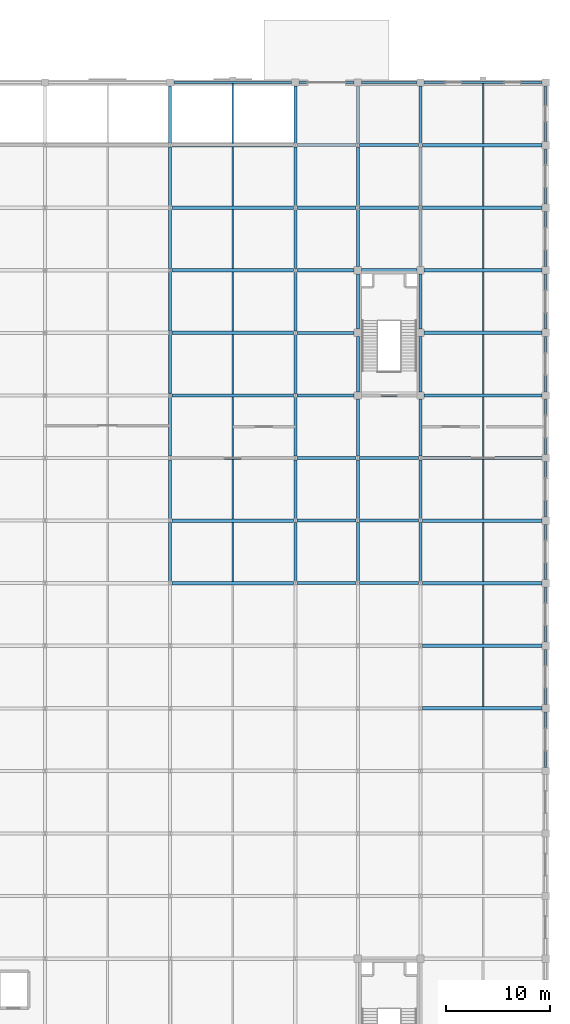
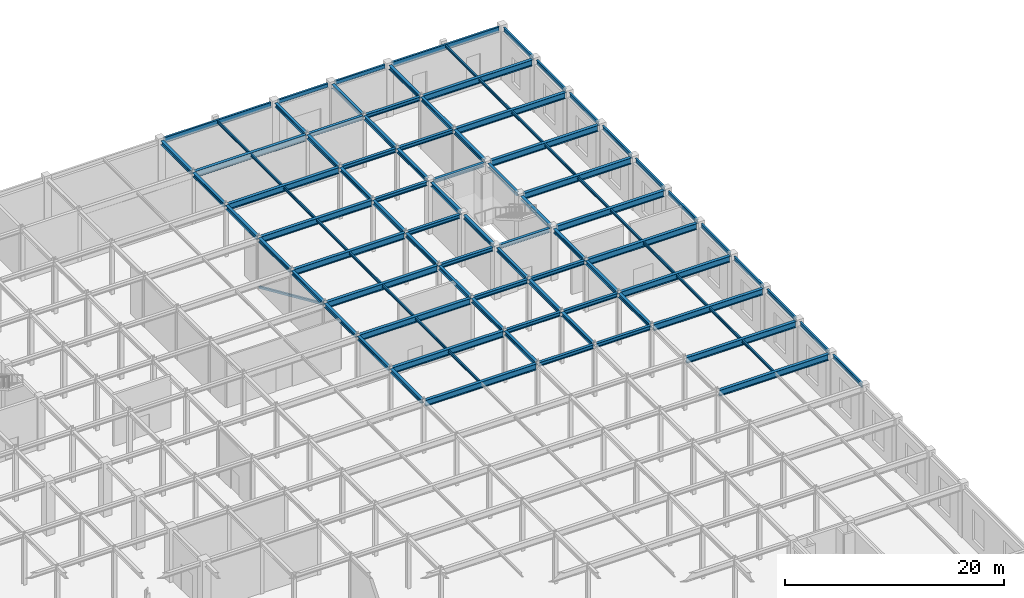
# One storey, part 38 of 51: 98 beams, 1 member.
"""IFC4 building model written with IfcOpenShell, lengths in metres."""

from ifc_helpers import new_model, si_unit, direction, frame, origin, origin_2d, place, context, subcontext, project, spatial, hollow_rectangle, i_section, extrude, material, material_profile, profile_set, type_object, element, save


model = new_model("IFC4")

# Units and contexts
model_context = context("Model", 3, precision=1e-05, world=origin(), true_north=direction((0.0, 1.0)))
body_context = subcontext(model_context, "Body", "Model", "MODEL_VIEW")
ifc_project = project(units=[si_unit("LENGTHUNIT", "METRE"), si_unit("AREAUNIT", "SQUARE_METRE"), si_unit("VOLUMEUNIT", "CUBIC_METRE"), si_unit("PLANEANGLEUNIT", "RADIAN"), si_unit("MASSUNIT", "GRAM", prefix="KILO")], contexts=[model_context])

# Site, building, storey
site_placement = place(None, origin())
site = spatial("IfcSite", under=ifc_project, at=site_placement, CompositionType="ELEMENT")
building_placement = place(site_placement, origin())
building = spatial("IfcBuilding", under=site, at=building_placement, Name="Zlatovratsky Civic Hall", CompositionType="ELEMENT")
storey_placement = place(building_placement, origin())
storey = spatial("IfcBuildingStorey", under=building, at=storey_placement, Name="L01", CompositionType="ELEMENT", Elevation=0.0)

# Beams
ifc_material = material(Name="Steel S355", Category="steel")
ifc_material_profile_1 = material_profile(ifc_material, i_section(OverallWidth=0.320068359375, OverallDepth=0.68310546875, WebThickness=0.012939453125, FlangeThickness=0.01904296875, FilletRadius=0.02587890625, at=origin_2d()), Name="70Sh1")
ifc_profile_set_1 = profile_set([ifc_material_profile_1], Name="Steel S355")
beam_type_1 = type_object("IfcBeamType", Name="Beam_HallGirder_70Sh1", PredefinedType="BEAM", material=ifc_profile_set_1)
for number, where, z_axis, x_axis, name in (
    (1, (156.175048828125, 54.0, 5.41845703125), (1.0, 0.0, 0.0), (0.0, 1.0, 0.0), "BM-1030"),
    (2, (156.175048828125, 60.0, 5.41845703125), (1.0, 0.0, 0.0), (0.0, 1.0, 0.0), "BM-1052"),
):
    element("IfcBeam", number, at=place(storey_placement, frame(where, z_axis=z_axis, x_axis=x_axis)), inside=storey, type_object=beam_type_1, Name=name, PredefinedType="BEAM", context=body_context, shape_type="SweptSolid", body=[
        extrude(i_section(OverallWidth=0.320068359375, OverallDepth=0.68310546875, WebThickness=0.012939453125, FlangeThickness=0.01904296875, FilletRadius=0.02587890625, at=origin_2d()), origin(), (0.0, 0.0, 1.0), 11.474853515625),
    ])
beam_1_placement = place(storey_placement, frame((132.175048828125, 66.0, 5.41845703125), z_axis=(1.0, 0.0, 0.0), x_axis=(0.0, 1.0, 0.0)))
element("IfcBeam", 3, at=beam_1_placement, inside=storey, type_object=beam_type_1, Name="BM-1071", PredefinedType="BEAM", context=body_context, shape_type="SweptSolid", body=[
    extrude(i_section(OverallWidth=0.320068359375, OverallDepth=0.68310546875, WebThickness=0.012939453125, FlangeThickness=0.01904296875, FilletRadius=0.02587890625, at=origin_2d()), origin(), (0.0, 0.0, 1.0), 11.64990234375),
])
beam_2_placement = place(storey_placement, frame((156.175048828125, 66.0, 5.41845703125), z_axis=(1.0, 0.0, 0.0), x_axis=(0.0, 1.0, 0.0)))
element("IfcBeam", 4, at=beam_2_placement, inside=storey, type_object=beam_type_1, Name="BM-1074", PredefinedType="BEAM", context=body_context, shape_type="SweptSolid", body=[
    extrude(i_section(OverallWidth=0.320068359375, OverallDepth=0.68310546875, WebThickness=0.012939453125, FlangeThickness=0.01904296875, FilletRadius=0.02587890625, at=origin_2d()), origin(), (0.0, 0.0, 1.0), 11.474853515625),
])
beam_3_placement = place(storey_placement, frame((132.175048828125, 72.0, 5.41845703125), z_axis=(1.0, 0.0, 0.0), x_axis=(0.0, 1.0, 0.0)))
element("IfcBeam", 5, at=beam_3_placement, inside=storey, type_object=beam_type_1, Name="BM-1093", PredefinedType="BEAM", context=body_context, shape_type="SweptSolid", body=[
    extrude(i_section(OverallWidth=0.320068359375, OverallDepth=0.68310546875, WebThickness=0.012939453125, FlangeThickness=0.01904296875, FilletRadius=0.02587890625, at=origin_2d()), origin(), (0.0, 0.0, 1.0), 11.64990234375),
])
beam_4_placement = place(storey_placement, frame((156.175048828125, 72.0, 5.41845703125), z_axis=(1.0, 0.0, 0.0), x_axis=(0.0, 1.0, 0.0)))
element("IfcBeam", 6, at=beam_4_placement, inside=storey, type_object=beam_type_1, Name="BM-1096", PredefinedType="BEAM", context=body_context, shape_type="SweptSolid", body=[
    extrude(i_section(OverallWidth=0.320068359375, OverallDepth=0.68310546875, WebThickness=0.012939453125, FlangeThickness=0.01904296875, FilletRadius=0.02587890625, at=origin_2d()), origin(), (0.0, 0.0, 1.0), 11.474853515625),
])
beam_5_placement = place(storey_placement, frame((132.175048828125, 78.0, 5.41845703125), z_axis=(1.0, 0.0, 0.0), x_axis=(0.0, 1.0, 0.0)))
element("IfcBeam", 7, at=beam_5_placement, inside=storey, type_object=beam_type_1, Name="BM-1115", PredefinedType="BEAM", context=body_context, shape_type="SweptSolid", body=[
    extrude(i_section(OverallWidth=0.320068359375, OverallDepth=0.68310546875, WebThickness=0.012939453125, FlangeThickness=0.01904296875, FilletRadius=0.02587890625, at=origin_2d()), origin(), (0.0, 0.0, 1.0), 11.64990234375),
])
beam_6_placement = place(storey_placement, frame((156.175048828125, 78.0, 5.41845703125), z_axis=(1.0, 0.0, 0.0), x_axis=(0.0, 1.0, 0.0)))
element("IfcBeam", 8, at=beam_6_placement, inside=storey, type_object=beam_type_1, Name="BM-1118", PredefinedType="BEAM", context=body_context, shape_type="SweptSolid", body=[
    extrude(i_section(OverallWidth=0.320068359375, OverallDepth=0.68310546875, WebThickness=0.012939453125, FlangeThickness=0.01904296875, FilletRadius=0.02587890625, at=origin_2d()), origin(), (0.0, 0.0, 1.0), 11.474853515625),
])
beam_7_placement = place(storey_placement, frame((132.175048828125, 84.0, 5.41845703125), z_axis=(1.0, 0.0, 0.0), x_axis=(0.0, 1.0, 0.0)))
element("IfcBeam", 9, at=beam_7_placement, inside=storey, type_object=beam_type_1, Name="BM-1137", PredefinedType="BEAM", context=body_context, shape_type="SweptSolid", body=[
    extrude(i_section(OverallWidth=0.320068359375, OverallDepth=0.68310546875, WebThickness=0.012939453125, FlangeThickness=0.01904296875, FilletRadius=0.02587890625, at=origin_2d()), origin(), (0.0, 0.0, 1.0), 11.64990234375),
])
beam_8_placement = place(storey_placement, frame((156.35009765625, 84.0, 5.41845703125), z_axis=(1.0, 0.0, 0.0), x_axis=(0.0, 1.0, 0.0)))
element("IfcBeam", 10, at=beam_8_placement, inside=storey, type_object=beam_type_1, Name="BM-1140", PredefinedType="BEAM", context=body_context, shape_type="SweptSolid", body=[
    extrude(i_section(OverallWidth=0.320068359375, OverallDepth=0.68310546875, WebThickness=0.012939453125, FlangeThickness=0.01904296875, FilletRadius=0.02587890625, at=origin_2d()), origin(), (0.0, 0.0, 1.0), 11.2998046875),
])
beam_9_placement = place(storey_placement, frame((132.175048828125, 90.0, 5.41845703125), z_axis=(1.0, 0.0, 0.0), x_axis=(0.0, 1.0, 0.0)))
element("IfcBeam", 11, at=beam_9_placement, inside=storey, type_object=beam_type_1, Name="BM-1156", PredefinedType="BEAM", context=body_context, shape_type="SweptSolid", body=[
    extrude(i_section(OverallWidth=0.320068359375, OverallDepth=0.68310546875, WebThickness=0.012939453125, FlangeThickness=0.01904296875, FilletRadius=0.02587890625, at=origin_2d()), origin(), (0.0, 0.0, 1.0), 11.64990234375),
])
beam_10_placement = place(storey_placement, frame((156.35009765625, 90.0, 5.41845703125), z_axis=(1.0, 0.0, 0.0), x_axis=(0.0, 1.0, 0.0)))
element("IfcBeam", 12, at=beam_10_placement, inside=storey, type_object=beam_type_1, Name="BM-1158", PredefinedType="BEAM", context=body_context, shape_type="SweptSolid", body=[
    extrude(i_section(OverallWidth=0.320068359375, OverallDepth=0.68310546875, WebThickness=0.012939453125, FlangeThickness=0.01904296875, FilletRadius=0.02587890625, at=origin_2d()), origin(), (0.0, 0.0, 1.0), 11.2998046875),
])
beam_11_placement = place(storey_placement, frame((132.175048828125, 96.0, 5.41845703125), z_axis=(1.0, 0.0, 0.0), x_axis=(0.0, 1.0, 0.0)))
element("IfcBeam", 13, at=beam_11_placement, inside=storey, type_object=beam_type_1, Name="BM-1177", PredefinedType="BEAM", context=body_context, shape_type="SweptSolid", body=[
    extrude(i_section(OverallWidth=0.320068359375, OverallDepth=0.68310546875, WebThickness=0.012939453125, FlangeThickness=0.01904296875, FilletRadius=0.02587890625, at=origin_2d()), origin(), (0.0, 0.0, 1.0), 11.64990234375),
])
beam_12_placement = place(storey_placement, frame((156.35009765625, 96.0, 5.41845703125), z_axis=(1.0, 0.0, 0.0), x_axis=(0.0, 1.0, 0.0)))
element("IfcBeam", 14, at=beam_12_placement, inside=storey, type_object=beam_type_1, Name="BM-1180", PredefinedType="BEAM", context=body_context, shape_type="SweptSolid", body=[
    extrude(i_section(OverallWidth=0.320068359375, OverallDepth=0.68310546875, WebThickness=0.012939453125, FlangeThickness=0.01904296875, FilletRadius=0.02587890625, at=origin_2d()), origin(), (0.0, 0.0, 1.0), 11.2998046875),
])
beam_13_placement = place(storey_placement, frame((132.175048828125, 102.0, 5.41845703125), z_axis=(1.0, 0.0, 0.0), x_axis=(0.0, 1.0, 0.0)))
element("IfcBeam", 15, at=beam_13_placement, inside=storey, type_object=beam_type_1, Name="BM-1199", PredefinedType="BEAM", context=body_context, shape_type="SweptSolid", body=[
    extrude(i_section(OverallWidth=0.320068359375, OverallDepth=0.68310546875, WebThickness=0.012939453125, FlangeThickness=0.01904296875, FilletRadius=0.02587890625, at=origin_2d()), origin(), (0.0, 0.0, 1.0), 11.64990234375),
])
beam_14_placement = place(storey_placement, frame((156.175048828125, 102.0, 5.41845703125), z_axis=(1.0, 0.0, 0.0), x_axis=(0.0, 1.0, 0.0)))
element("IfcBeam", 16, at=beam_14_placement, inside=storey, type_object=beam_type_1, Name="BM-1202", PredefinedType="BEAM", context=body_context, shape_type="SweptSolid", body=[
    extrude(i_section(OverallWidth=0.320068359375, OverallDepth=0.68310546875, WebThickness=0.012939453125, FlangeThickness=0.01904296875, FilletRadius=0.02587890625, at=origin_2d()), origin(), (0.0, 0.0, 1.0), 11.474853515625),
])
beam_15_placement = place(storey_placement, frame((132.175048828125, 108.0, 5.41845703125), z_axis=(1.0, 0.0, 0.0), x_axis=(0.0, 1.0, 0.0)))
element("IfcBeam", 17, at=beam_15_placement, inside=storey, type_object=beam_type_1, Name="BM-1221", PredefinedType="BEAM", context=body_context, shape_type="SweptSolid", body=[
    extrude(i_section(OverallWidth=0.320068359375, OverallDepth=0.68310546875, WebThickness=0.012939453125, FlangeThickness=0.01904296875, FilletRadius=0.02587890625, at=origin_2d()), origin(), (0.0, 0.0, 1.0), 11.64990234375),
])
beam_16_placement = place(storey_placement, frame((156.175048828125, 108.0, 5.41845703125), z_axis=(1.0, 0.0, 0.0), x_axis=(0.0, 1.0, 0.0)))
element("IfcBeam", 18, at=beam_16_placement, inside=storey, type_object=beam_type_1, Name="BM-1224", PredefinedType="BEAM", context=body_context, shape_type="SweptSolid", body=[
    extrude(i_section(OverallWidth=0.320068359375, OverallDepth=0.68310546875, WebThickness=0.012939453125, FlangeThickness=0.01904296875, FilletRadius=0.02587890625, at=origin_2d()), origin(), (0.0, 0.0, 1.0), 11.474853515625),
])
ifc_material_profile_2 = material_profile(ifc_material, i_section(OverallWidth=0.198974609375, OverallDepth=0.491943359375, WebThickness=0.0087890625, FlangeThickness=0.011962890625, FilletRadius=0.01611328125, at=origin_2d()), Name="50B1")
ifc_profile_set_2 = profile_set([ifc_material_profile_2], Name="Steel S355")
beam_type_2 = type_object("IfcBeamType", Name="Beam_Spandrel_50B1", PredefinedType="SPANDREL", material=ifc_profile_set_2)
for number, where, z_axis, x_axis, name in (
    (19, (144.35009765625, 114.0, 5.513916015625), (1.0, 0.0, 0.0), (0.0, 1.0, 0.0), "BM-1244"),
    (20, (150.35009765625, 114.0, 5.513916015625), (1.0, 0.0, 0.0), (0.0, 1.0, 0.0), "BM-1245"),
    (21, (168.0, 48.35009765625, 5.513916015625), (0.0, 1.0, 0.0), (-1.0, 0.0, 0.0), "BM-1612"),
    (22, (168.0, 54.35009765625, 5.513916015625), (0.0, 1.0, 0.0), (-1.0, 0.0, 0.0), "BM-1613"),
    (23, (168.0, 60.35009765625, 5.513916015625), (0.0, 1.0, 0.0), (-1.0, 0.0, 0.0), "BM-1614"),
    (24, (168.0, 66.35009765625, 5.513916015625), (0.0, 1.0, 0.0), (-1.0, 0.0, 0.0), "BM-1615"),
    (25, (168.0, 72.35009765625, 5.513916015625), (0.0, 1.0, 0.0), (-1.0, 0.0, 0.0), "BM-1616"),
    (26, (168.0, 78.35009765625, 5.513916015625), (0.0, 1.0, 0.0), (-1.0, 0.0, 0.0), "BM-1617"),
    (27, (168.0, 84.35009765625, 5.513916015625), (0.0, 1.0, 0.0), (-1.0, 0.0, 0.0), "BM-1618"),
    (28, (168.0, 90.35009765625, 5.513916015625), (0.0, 1.0, 0.0), (-1.0, 0.0, 0.0), "BM-1619"),
    (29, (168.0, 96.35009765625, 5.513916015625), (0.0, 1.0, 0.0), (-1.0, 0.0, 0.0), "BM-1620"),
    (30, (168.0, 102.35009765625, 5.513916015625), (0.0, 1.0, 0.0), (-1.0, 0.0, 0.0), "BM-1621"),
    (31, (168.0, 108.35009765625, 5.513916015625), (0.0, 1.0, 0.0), (-1.0, 0.0, 0.0), "BM-1622"),
):
    element("IfcBeam", number, at=place(storey_placement, frame(where, z_axis=z_axis, x_axis=x_axis)), inside=storey, type_object=beam_type_2, Name=name, PredefinedType="SPANDREL", context=body_context, shape_type="SweptSolid", body=[
        extrude(i_section(OverallWidth=0.198974609375, OverallDepth=0.491943359375, WebThickness=0.0087890625, FlangeThickness=0.011962890625, FilletRadius=0.01611328125, at=origin_2d()), origin(), (0.0, 0.0, 1.0), 5.2998046875),
    ])
ifc_material_profile_3 = material_profile(ifc_material, i_section(OverallWidth=0.198974609375, OverallDepth=0.593017578125, WebThickness=0.010498046875, FlangeThickness=0.014892578125, FilletRadius=0.01806640625, at=origin_2d()), Name="60B1")
ifc_profile_set_3 = profile_set([ifc_material_profile_3], Name="Steel S355")
beam_type_3 = type_object("IfcBeamType", Name="Beam_Spandrel_60B1", PredefinedType="SPANDREL", material=ifc_profile_set_3)
for number, where, z_axis, x_axis, name in (
    (32, (132.35009765625, 114.0, 5.46337890625), (1.0, 0.0, 0.0), (0.0, 1.0, 0.0), "BM-1243"),
    (33, (156.35009765625, 114.0, 5.46337890625), (1.0, 0.0, 0.0), (0.0, 1.0, 0.0), "BM-1246"),
):
    element("IfcBeam", number, at=place(storey_placement, frame(where, z_axis=z_axis, x_axis=x_axis)), inside=storey, type_object=beam_type_3, Name=name, PredefinedType="SPANDREL", context=body_context, shape_type="SweptSolid", body=[
        extrude(i_section(OverallWidth=0.198974609375, OverallDepth=0.593017578125, WebThickness=0.010498046875, FlangeThickness=0.014892578125, FilletRadius=0.01806640625, at=origin_2d()), origin(), (0.0, 0.0, 1.0), 11.2998046875),
    ])
ifc_material_profile_4 = material_profile(ifc_material, i_section(OverallWidth=0.300048828125, OverallDepth=0.43994140625, WebThickness=0.010986328125, FlangeThickness=0.01806640625, FilletRadius=0.02197265625, at=origin_2d()), Name="45Sh1")
ifc_profile_set_4 = profile_set([ifc_material_profile_4], Name="Steel S355")
beam_type_4 = type_object("IfcBeamType", Name="Beam_TowerLow_45Sh1", PredefinedType="BEAM", material=ifc_profile_set_4)
for number, where, z_axis, x_axis, name in (
    (34, (144.175048828125, 66.0, 5.5400390625), (1.0, 0.0, 0.0), (0.0, 1.0, 0.0), "BM-1072"),
    (35, (150.175048828125, 66.0, 5.5400390625), (1.0, 0.0, 0.0), (0.0, 1.0, 0.0), "BM-1073"),
    (36, (144.175048828125, 72.0, 5.5400390625), (1.0, 0.0, 0.0), (0.0, 1.0, 0.0), "BM-1094"),
    (37, (150.175048828125, 72.0, 5.5400390625), (1.0, 0.0, 0.0), (0.0, 1.0, 0.0), "BM-1095"),
    (38, (144.175048828125, 78.0, 5.5400390625), (1.0, 0.0, 0.0), (0.0, 1.0, 0.0), "BM-1116"),
    (39, (150.175048828125, 78.0, 5.5400390625), (1.0, 0.0, 0.0), (0.0, 1.0, 0.0), "BM-1117"),
):
    element("IfcBeam", number, at=place(storey_placement, frame(where, z_axis=z_axis, x_axis=x_axis)), inside=storey, type_object=beam_type_4, Name=name, PredefinedType="BEAM", context=body_context, shape_type="SweptSolid", body=[
        extrude(i_section(OverallWidth=0.300048828125, OverallDepth=0.43994140625, WebThickness=0.010986328125, FlangeThickness=0.01806640625, FilletRadius=0.02197265625, at=origin_2d()), origin(), (0.0, 0.0, 1.0), 5.64990234375),
    ])
beam_17_placement = place(storey_placement, frame((144.175048828125, 84.0, 5.5400390625), z_axis=(1.0, 0.0, 0.0), x_axis=(0.0, 1.0, 0.0)))
element("IfcBeam", 40, at=beam_17_placement, inside=storey, type_object=beam_type_4, Name="BM-1138", PredefinedType="BEAM", context=body_context, shape_type="SweptSolid", body=[
    extrude(i_section(OverallWidth=0.300048828125, OverallDepth=0.43994140625, WebThickness=0.010986328125, FlangeThickness=0.01806640625, FilletRadius=0.02197265625, at=origin_2d()), origin(), (0.0, 0.0, 1.0), 5.474853515625),
])
beam_18_placement = place(storey_placement, frame((150.35009765625, 84.0, 5.5400390625), z_axis=(1.0, 0.0, 0.0), x_axis=(0.0, 1.0, 0.0)))
element("IfcBeam", 41, at=beam_18_placement, inside=storey, type_object=beam_type_4, Name="BM-1139", PredefinedType="BEAM", context=body_context, shape_type="SweptSolid", body=[
    extrude(i_section(OverallWidth=0.300048828125, OverallDepth=0.43994140625, WebThickness=0.010986328125, FlangeThickness=0.01806640625, FilletRadius=0.02197265625, at=origin_2d()), origin(), (0.0, 0.0, 1.0), 5.2998046875),
])
for number, where, z_axis, x_axis, name in (
    (42, (144.175048828125, 90.0, 5.5400390625), (1.0, 0.0, 0.0), (0.0, 1.0, 0.0), "BM-1157"),
    (43, (144.175048828125, 96.0, 5.5400390625), (1.0, 0.0, 0.0), (0.0, 1.0, 0.0), "BM-1178"),
):
    element("IfcBeam", number, at=place(storey_placement, frame(where, z_axis=z_axis, x_axis=x_axis)), inside=storey, type_object=beam_type_4, Name=name, PredefinedType="BEAM", context=body_context, shape_type="SweptSolid", body=[
        extrude(i_section(OverallWidth=0.300048828125, OverallDepth=0.43994140625, WebThickness=0.010986328125, FlangeThickness=0.01806640625, FilletRadius=0.02197265625, at=origin_2d()), origin(), (0.0, 0.0, 1.0), 5.474853515625),
    ])
beam_19_placement = place(storey_placement, frame((150.35009765625, 96.0, 5.5400390625), z_axis=(1.0, 0.0, 0.0), x_axis=(0.0, 1.0, 0.0)))
element("IfcBeam", 44, at=beam_19_placement, inside=storey, type_object=beam_type_4, Name="BM-1179", PredefinedType="BEAM", context=body_context, shape_type="SweptSolid", body=[
    extrude(i_section(OverallWidth=0.300048828125, OverallDepth=0.43994140625, WebThickness=0.010986328125, FlangeThickness=0.01806640625, FilletRadius=0.02197265625, at=origin_2d()), origin(), (0.0, 0.0, 1.0), 5.2998046875),
])
for number, where, z_axis, x_axis, name in (
    (45, (144.175048828125, 102.0, 5.5400390625), (1.0, 0.0, 0.0), (0.0, 1.0, 0.0), "BM-1200"),
    (46, (150.175048828125, 102.0, 5.5400390625), (1.0, 0.0, 0.0), (0.0, 1.0, 0.0), "BM-1201"),
    (47, (144.175048828125, 108.0, 5.5400390625), (1.0, 0.0, 0.0), (0.0, 1.0, 0.0), "BM-1222"),
    (48, (150.175048828125, 108.0, 5.5400390625), (1.0, 0.0, 0.0), (0.0, 1.0, 0.0), "BM-1223"),
):
    element("IfcBeam", number, at=place(storey_placement, frame(where, z_axis=z_axis, x_axis=x_axis)), inside=storey, type_object=beam_type_4, Name=name, PredefinedType="BEAM", context=body_context, shape_type="SweptSolid", body=[
        extrude(i_section(OverallWidth=0.300048828125, OverallDepth=0.43994140625, WebThickness=0.010986328125, FlangeThickness=0.01806640625, FilletRadius=0.02197265625, at=origin_2d()), origin(), (0.0, 0.0, 1.0), 5.64990234375),
    ])
for number, where, z_axis, x_axis, name in (
    (49, (132.0, 66.17138671875, 5.5400390625), (0.0, 1.0, 0.0), (-1.0, 0.0, 0.0), "BM-1547"),
    (50, (132.0, 72.17138671875, 5.5400390625), (0.0, 1.0, 0.0), (-1.0, 0.0, 0.0), "BM-1548"),
    (51, (132.0, 78.17138671875, 5.5400390625), (0.0, 1.0, 0.0), (-1.0, 0.0, 0.0), "BM-1549"),
    (52, (132.0, 84.17138671875, 5.5400390625), (0.0, 1.0, 0.0), (-1.0, 0.0, 0.0), "BM-1550"),
    (53, (132.0, 90.17138671875, 5.5400390625), (0.0, 1.0, 0.0), (-1.0, 0.0, 0.0), "BM-1551"),
    (54, (132.0, 96.17138671875, 5.5400390625), (0.0, 1.0, 0.0), (-1.0, 0.0, 0.0), "BM-1552"),
    (55, (132.0, 102.17138671875, 5.5400390625), (0.0, 1.0, 0.0), (-1.0, 0.0, 0.0), "BM-1553"),
):
    element("IfcBeam", number, at=place(storey_placement, frame(where, z_axis=z_axis, x_axis=x_axis)), inside=storey, type_object=beam_type_4, Name=name, PredefinedType="BEAM", context=body_context, shape_type="SweptSolid", body=[
        extrude(i_section(OverallWidth=0.300048828125, OverallDepth=0.43994140625, WebThickness=0.010986328125, FlangeThickness=0.01806640625, FilletRadius=0.02197265625, at=origin_2d()), origin(), (0.0, 0.0, 1.0), 5.6572265625),
    ])
beam_20_placement = place(storey_placement, frame((132.0, 108.17138671875, 5.5400390625), z_axis=(0.0, 1.0, 0.0), x_axis=(-1.0, 0.0, 0.0)))
element("IfcBeam", 56, at=beam_20_placement, inside=storey, type_object=beam_type_4, Name="BM-1554", PredefinedType="BEAM", context=body_context, shape_type="SweptSolid", body=[
    extrude(i_section(OverallWidth=0.300048828125, OverallDepth=0.43994140625, WebThickness=0.010986328125, FlangeThickness=0.01806640625, FilletRadius=0.02197265625, at=origin_2d()), origin(), (0.0, 0.0, 1.0), 5.478515625),
])
for number, where, z_axis, x_axis, name in (
    (57, (144.0, 66.17138671875, 5.5400390625), (0.0, 1.0, 0.0), (-1.0, 0.0, 0.0), "BM-1564"),
    (58, (144.0, 72.17138671875, 5.5400390625), (0.0, 1.0, 0.0), (-1.0, 0.0, 0.0), "BM-1565"),
    (59, (144.0, 78.17138671875, 5.5400390625), (0.0, 1.0, 0.0), (-1.0, 0.0, 0.0), "BM-1566"),
    (60, (144.0, 84.17138671875, 5.5400390625), (0.0, 1.0, 0.0), (-1.0, 0.0, 0.0), "BM-1567"),
    (61, (144.0, 90.17138671875, 5.5400390625), (0.0, 1.0, 0.0), (-1.0, 0.0, 0.0), "BM-1568"),
    (62, (144.0, 96.17138671875, 5.5400390625), (0.0, 1.0, 0.0), (-1.0, 0.0, 0.0), "BM-1569"),
    (63, (144.0, 102.17138671875, 5.5400390625), (0.0, 1.0, 0.0), (-1.0, 0.0, 0.0), "BM-1570"),
):
    element("IfcBeam", number, at=place(storey_placement, frame(where, z_axis=z_axis, x_axis=x_axis)), inside=storey, type_object=beam_type_4, Name=name, PredefinedType="BEAM", context=body_context, shape_type="SweptSolid", body=[
        extrude(i_section(OverallWidth=0.300048828125, OverallDepth=0.43994140625, WebThickness=0.010986328125, FlangeThickness=0.01806640625, FilletRadius=0.02197265625, at=origin_2d()), origin(), (0.0, 0.0, 1.0), 5.6572265625),
    ])
beam_21_placement = place(storey_placement, frame((144.0, 108.17138671875, 5.5400390625), z_axis=(0.0, 1.0, 0.0), x_axis=(-1.0, 0.0, 0.0)))
element("IfcBeam", 64, at=beam_21_placement, inside=storey, type_object=beam_type_4, Name="BM-1571", PredefinedType="BEAM", context=body_context, shape_type="SweptSolid", body=[
    extrude(i_section(OverallWidth=0.300048828125, OverallDepth=0.43994140625, WebThickness=0.010986328125, FlangeThickness=0.01806640625, FilletRadius=0.02197265625, at=origin_2d()), origin(), (0.0, 0.0, 1.0), 5.478515625),
])
for number, where, z_axis, x_axis, name in (
    (65, (150.0, 66.17138671875, 5.5400390625), (0.0, 1.0, 0.0), (-1.0, 0.0, 0.0), "BM-1581"),
    (66, (150.0, 72.17138671875, 5.5400390625), (0.0, 1.0, 0.0), (-1.0, 0.0, 0.0), "BM-1582"),
):
    element("IfcBeam", number, at=place(storey_placement, frame(where, z_axis=z_axis, x_axis=x_axis)), inside=storey, type_object=beam_type_4, Name=name, PredefinedType="BEAM", context=body_context, shape_type="SweptSolid", body=[
        extrude(i_section(OverallWidth=0.300048828125, OverallDepth=0.43994140625, WebThickness=0.010986328125, FlangeThickness=0.01806640625, FilletRadius=0.02197265625, at=origin_2d()), origin(), (0.0, 0.0, 1.0), 5.6572265625),
    ])
beam_22_placement = place(storey_placement, frame((150.0, 78.17138671875, 5.5400390625), z_axis=(0.0, 1.0, 0.0), x_axis=(-1.0, 0.0, 0.0)))
element("IfcBeam", 67, at=beam_22_placement, inside=storey, type_object=beam_type_4, Name="BM-1583", PredefinedType="BEAM", context=body_context, shape_type="SweptSolid", body=[
    extrude(i_section(OverallWidth=0.300048828125, OverallDepth=0.43994140625, WebThickness=0.010986328125, FlangeThickness=0.01806640625, FilletRadius=0.02197265625, at=origin_2d()), origin(), (0.0, 0.0, 1.0), 5.478515625),
])
for number, where, z_axis, x_axis, name in (
    (68, (150.0, 84.35009765625, 5.5400390625), (0.0, 1.0, 0.0), (-1.0, 0.0, 0.0), "BM-1584"),
    (69, (150.0, 90.35009765625, 5.5400390625), (0.0, 1.0, 0.0), (-1.0, 0.0, 0.0), "BM-1585"),
):
    element("IfcBeam", number, at=place(storey_placement, frame(where, z_axis=z_axis, x_axis=x_axis)), inside=storey, type_object=beam_type_4, Name=name, PredefinedType="BEAM", context=body_context, shape_type="SweptSolid", body=[
        extrude(i_section(OverallWidth=0.300048828125, OverallDepth=0.43994140625, WebThickness=0.010986328125, FlangeThickness=0.01806640625, FilletRadius=0.02197265625, at=origin_2d()), origin(), (0.0, 0.0, 1.0), 5.2998046875),
    ])
beam_23_placement = place(storey_placement, frame((150.0, 96.35009765625, 5.5400390625), z_axis=(0.0, 1.0, 0.0), x_axis=(-1.0, 0.0, 0.0)))
element("IfcBeam", 70, at=beam_23_placement, inside=storey, type_object=beam_type_4, Name="BM-1586", PredefinedType="BEAM", context=body_context, shape_type="SweptSolid", body=[
    extrude(i_section(OverallWidth=0.300048828125, OverallDepth=0.43994140625, WebThickness=0.010986328125, FlangeThickness=0.01806640625, FilletRadius=0.02197265625, at=origin_2d()), origin(), (0.0, 0.0, 1.0), 5.478515625),
])
beam_24_placement = place(storey_placement, frame((150.0, 102.17138671875, 5.5400390625), z_axis=(0.0, 1.0, 0.0), x_axis=(-1.0, 0.0, 0.0)))
element("IfcBeam", 71, at=beam_24_placement, inside=storey, type_object=beam_type_4, Name="BM-1587", PredefinedType="BEAM", context=body_context, shape_type="SweptSolid", body=[
    extrude(i_section(OverallWidth=0.300048828125, OverallDepth=0.43994140625, WebThickness=0.010986328125, FlangeThickness=0.01806640625, FilletRadius=0.02197265625, at=origin_2d()), origin(), (0.0, 0.0, 1.0), 5.6572265625),
])
beam_25_placement = place(storey_placement, frame((150.0, 108.17138671875, 5.5400390625), z_axis=(0.0, 1.0, 0.0), x_axis=(-1.0, 0.0, 0.0)))
element("IfcBeam", 72, at=beam_25_placement, inside=storey, type_object=beam_type_4, Name="BM-1588", PredefinedType="BEAM", context=body_context, shape_type="SweptSolid", body=[
    extrude(i_section(OverallWidth=0.300048828125, OverallDepth=0.43994140625, WebThickness=0.010986328125, FlangeThickness=0.01806640625, FilletRadius=0.02197265625, at=origin_2d()), origin(), (0.0, 0.0, 1.0), 5.478515625),
])
for number, where, z_axis, x_axis, name in (
    (73, (156.0, 66.17138671875, 5.5400390625), (0.0, 1.0, 0.0), (-1.0, 0.0, 0.0), "BM-1598"),
    (74, (156.0, 72.17138671875, 5.5400390625), (0.0, 1.0, 0.0), (-1.0, 0.0, 0.0), "BM-1599"),
):
    element("IfcBeam", number, at=place(storey_placement, frame(where, z_axis=z_axis, x_axis=x_axis)), inside=storey, type_object=beam_type_4, Name=name, PredefinedType="BEAM", context=body_context, shape_type="SweptSolid", body=[
        extrude(i_section(OverallWidth=0.300048828125, OverallDepth=0.43994140625, WebThickness=0.010986328125, FlangeThickness=0.01806640625, FilletRadius=0.02197265625, at=origin_2d()), origin(), (0.0, 0.0, 1.0), 5.6572265625),
    ])
beam_26_placement = place(storey_placement, frame((156.0, 78.17138671875, 5.5400390625), z_axis=(0.0, 1.0, 0.0), x_axis=(-1.0, 0.0, 0.0)))
element("IfcBeam", 75, at=beam_26_placement, inside=storey, type_object=beam_type_4, Name="BM-1600", PredefinedType="BEAM", context=body_context, shape_type="SweptSolid", body=[
    extrude(i_section(OverallWidth=0.300048828125, OverallDepth=0.43994140625, WebThickness=0.010986328125, FlangeThickness=0.01806640625, FilletRadius=0.02197265625, at=origin_2d()), origin(), (0.0, 0.0, 1.0), 5.478515625),
])
for number, where, z_axis, x_axis, name in (
    (76, (156.0, 84.35009765625, 5.5400390625), (0.0, 1.0, 0.0), (-1.0, 0.0, 0.0), "BM-1601"),
    (77, (156.0, 90.35009765625, 5.5400390625), (0.0, 1.0, 0.0), (-1.0, 0.0, 0.0), "BM-1602"),
):
    element("IfcBeam", number, at=place(storey_placement, frame(where, z_axis=z_axis, x_axis=x_axis)), inside=storey, type_object=beam_type_4, Name=name, PredefinedType="BEAM", context=body_context, shape_type="SweptSolid", body=[
        extrude(i_section(OverallWidth=0.300048828125, OverallDepth=0.43994140625, WebThickness=0.010986328125, FlangeThickness=0.01806640625, FilletRadius=0.02197265625, at=origin_2d()), origin(), (0.0, 0.0, 1.0), 5.2998046875),
    ])
beam_27_placement = place(storey_placement, frame((156.0, 96.35009765625, 5.5400390625), z_axis=(0.0, 1.0, 0.0), x_axis=(-1.0, 0.0, 0.0)))
element("IfcBeam", 78, at=beam_27_placement, inside=storey, type_object=beam_type_4, Name="BM-1603", PredefinedType="BEAM", context=body_context, shape_type="SweptSolid", body=[
    extrude(i_section(OverallWidth=0.300048828125, OverallDepth=0.43994140625, WebThickness=0.010986328125, FlangeThickness=0.01806640625, FilletRadius=0.02197265625, at=origin_2d()), origin(), (0.0, 0.0, 1.0), 5.478515625),
])
beam_28_placement = place(storey_placement, frame((156.0, 102.17138671875, 5.5400390625), z_axis=(0.0, 1.0, 0.0), x_axis=(-1.0, 0.0, 0.0)))
element("IfcBeam", 79, at=beam_28_placement, inside=storey, type_object=beam_type_4, Name="BM-1604", PredefinedType="BEAM", context=body_context, shape_type="SweptSolid", body=[
    extrude(i_section(OverallWidth=0.300048828125, OverallDepth=0.43994140625, WebThickness=0.010986328125, FlangeThickness=0.01806640625, FilletRadius=0.02197265625, at=origin_2d()), origin(), (0.0, 0.0, 1.0), 5.6572265625),
])
beam_29_placement = place(storey_placement, frame((156.0, 108.17138671875, 5.5400390625), z_axis=(0.0, 1.0, 0.0), x_axis=(-1.0, 0.0, 0.0)))
element("IfcBeam", 80, at=beam_29_placement, inside=storey, type_object=beam_type_4, Name="BM-1605", PredefinedType="BEAM", context=body_context, shape_type="SweptSolid", body=[
    extrude(i_section(OverallWidth=0.300048828125, OverallDepth=0.43994140625, WebThickness=0.010986328125, FlangeThickness=0.01806640625, FilletRadius=0.02197265625, at=origin_2d()), origin(), (0.0, 0.0, 1.0), 5.478515625),
])

# Member
ifc_material_profile_5 = material_profile(ifc_material, hollow_rectangle(XDim=0.219970703125, YDim=0.219970703125, WallThickness=0.010009765625, at=origin_2d()), Name="SHS 220x220x10")
ifc_profile_set_5 = profile_set([ifc_material_profile_5], Name="Steel S355")
member_type = type_object("IfcMemberType", Name="Brace_Podium_SHS220", PredefinedType="BRACE", material=ifc_profile_set_5)
member_placement = place(storey_placement, frame((132.0, 84.17138671875, 5.449951171875), z_axis=(0.0, 0.91325938585, -0.407378563693), x_axis=(-1.0, 0.0, 0.0)))
element("IfcMember", 81, at=member_placement, inside=storey, type_object=member_type, Name="MB-0099", PredefinedType="BRACE", context=body_context, shape_type="SweptSolid", body=[
    extrude(hollow_rectangle(XDim=0.219970703125, YDim=0.219970703125, WallThickness=0.010009765625, at=origin_2d()), origin(), (0.0, 0.0, 1.0), 12.764404296875),
])

# Beams
ifc_material_profile_6 = material_profile(ifc_material, i_section(OverallWidth=0.14990234375, OverallDepth=0.300048828125, WebThickness=0.006591796875, FlangeThickness=0.009033203125, FilletRadius=0.012939453125, at=origin_2d()), Name="30B2")
ifc_profile_set_6 = profile_set([ifc_material_profile_6], Name="Steel S355")
beam_type_5 = type_object("IfcBeamType", Name="Joist_Podium_30B2", PredefinedType="JOIST", material=ifc_profile_set_6)
for number, where, z_axis, x_axis, name in (
    (82, (162.0, 54.159912109375, 5.610107421875), (0.0, 1.0, 0.0), (-1.0, 0.0, 0.0), "BM-1670"),
    (83, (162.0, 60.159912109375, 5.610107421875), (0.0, 1.0, 0.0), (-1.0, 0.0, 0.0), "BM-1676"),
    (84, (138.0, 66.159912109375, 5.610107421875), (0.0, 1.0, 0.0), (-1.0, 0.0, 0.0), "BM-1681"),
    (85, (162.0, 66.159912109375, 5.610107421875), (0.0, 1.0, 0.0), (-1.0, 0.0, 0.0), "BM-1682"),
    (86, (138.0, 72.159912109375, 5.610107421875), (0.0, 1.0, 0.0), (-1.0, 0.0, 0.0), "BM-1687"),
    (87, (162.0, 72.159912109375, 5.610107421875), (0.0, 1.0, 0.0), (-1.0, 0.0, 0.0), "BM-1688"),
    (88, (138.0, 78.159912109375, 5.610107421875), (0.0, 1.0, 0.0), (-1.0, 0.0, 0.0), "BM-1693"),
    (89, (162.0, 78.159912109375, 5.610107421875), (0.0, 1.0, 0.0), (-1.0, 0.0, 0.0), "BM-1694"),
    (90, (138.0, 84.159912109375, 5.610107421875), (0.0, 1.0, 0.0), (-1.0, 0.0, 0.0), "BM-1699"),
    (91, (162.0, 84.159912109375, 5.610107421875), (0.0, 1.0, 0.0), (-1.0, 0.0, 0.0), "BM-1700"),
    (92, (138.0, 90.159912109375, 5.610107421875), (0.0, 1.0, 0.0), (-1.0, 0.0, 0.0), "BM-1707"),
    (93, (162.0, 90.159912109375, 5.610107421875), (0.0, 1.0, 0.0), (-1.0, 0.0, 0.0), "BM-1708"),
    (94, (138.0, 96.159912109375, 5.610107421875), (0.0, 1.0, 0.0), (-1.0, 0.0, 0.0), "BM-1713"),
    (95, (162.0, 96.159912109375, 5.610107421875), (0.0, 1.0, 0.0), (-1.0, 0.0, 0.0), "BM-1714"),
    (96, (138.0, 102.159912109375, 5.610107421875), (0.0, 1.0, 0.0), (-1.0, 0.0, 0.0), "BM-1719"),
    (97, (162.0, 102.159912109375, 5.610107421875), (0.0, 1.0, 0.0), (-1.0, 0.0, 0.0), "BM-1720"),
):
    element("IfcBeam", number, at=place(storey_placement, frame(where, z_axis=z_axis, x_axis=x_axis)), inside=storey, type_object=beam_type_5, Name=name, PredefinedType="JOIST", context=body_context, shape_type="SweptSolid", body=[
        extrude(i_section(OverallWidth=0.14990234375, OverallDepth=0.300048828125, WebThickness=0.006591796875, FlangeThickness=0.009033203125, FilletRadius=0.012939453125, at=origin_2d()), origin(), (0.0, 0.0, 1.0), 5.68017578125),
    ])
for number, where, z_axis, x_axis, name in (
    (98, (138.0, 108.159912109375, 5.610107421875), (0.0, 1.0, 0.0), (-1.0, 0.0, 0.0), "BM-1725"),
    (99, (162.0, 108.159912109375, 5.610107421875), (0.0, 1.0, 0.0), (-1.0, 0.0, 0.0), "BM-1726"),
):
    element("IfcBeam", number, at=place(storey_placement, frame(where, z_axis=z_axis, x_axis=x_axis)), inside=storey, type_object=beam_type_5, Name=name, PredefinedType="JOIST", context=body_context, shape_type="SweptSolid", body=[
        extrude(i_section(OverallWidth=0.14990234375, OverallDepth=0.300048828125, WebThickness=0.006591796875, FlangeThickness=0.009033203125, FilletRadius=0.012939453125, at=origin_2d()), origin(), (0.0, 0.0, 1.0), 5.740478515625),
    ])

save(model, "model.ifc")
